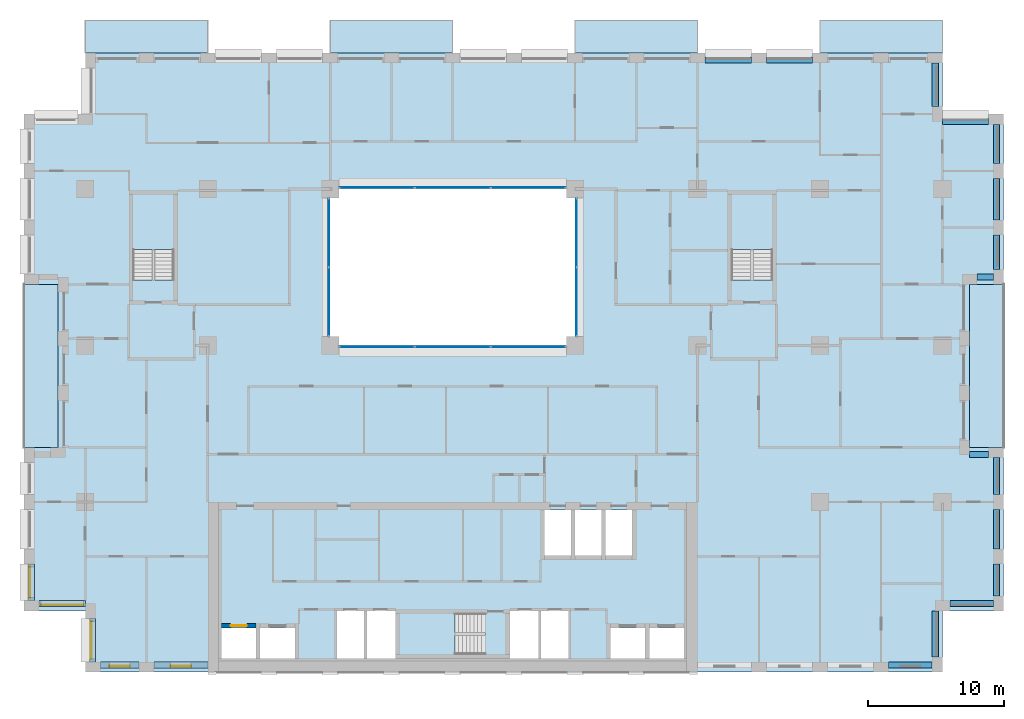
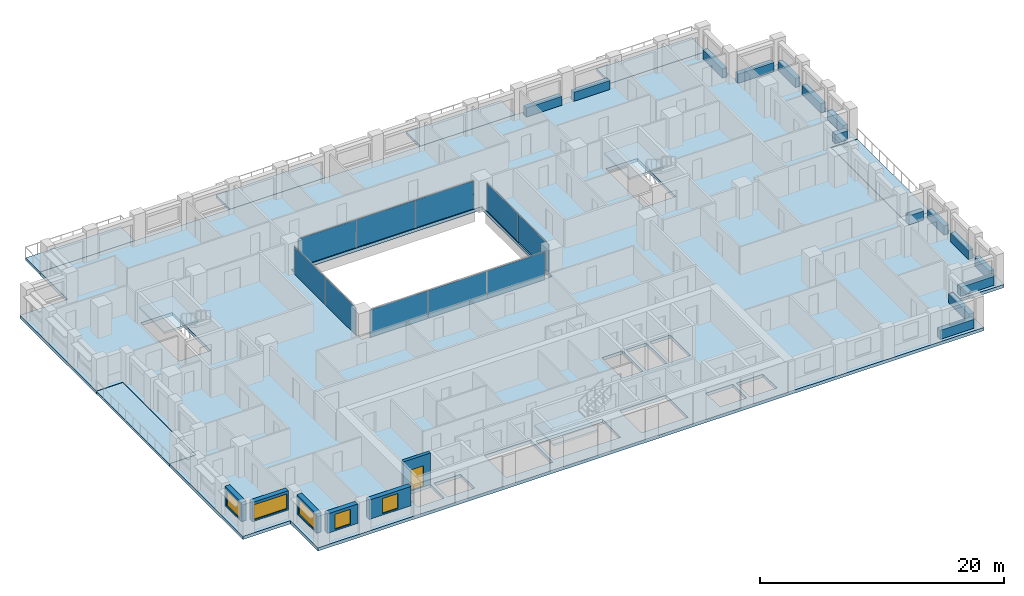
# One storey, part 7 of 17: 15 beams, 10 plates, 10 slabs, 6 walls, 5 windows, 1 door, 6 openings, 7 elements without a shape of their own.
"""IFC4 building model written with IfcOpenShell, lengths in metres."""

import ifcopenshell
import ifcopenshell.guid

model = None  # the IFC model being written
_history = None  # IfcOwnerHistory: only IFC2X3 demands one
_inside = {}  # id of a spatial element -> (the spatial element, [elements in it])
_under = {}  # id of a project, library or spatial element -> (it, [spatial elements below it])
_declared = {}  # id of a project -> (the project, [libraries it declares])
_typed = {}  # id of a type object -> (the type object, [elements of that type])
_made_of = {}  # id of a material, layer set ... -> (it, [elements and type objects made of it])


def new_model(schema):
    """Start an empty IFC model of exactly this schema.

    Asked for "IFC4X3", IfcOpenShell would pick the latest addendum, in which some entities
    have other attributes; the version numbers below select the first issue.
    IFC2X3 requires an IfcOwnerHistory on every rooted entity: one is made here for all.
    """
    global model, _history
    if schema == "IFC4X3":
        model = ifcopenshell.file(schema_version=(4, 3, 0, 0))
    else:
        model = ifcopenshell.file(schema=schema)
    _inside.clear()
    _under.clear()
    _declared.clear()
    _typed.clear()
    _made_of.clear()
    _history = None
    if model.schema == "IFC2X3":
        org = make("IfcOrganization", Name="unknown")
        user = make(
            "IfcPersonAndOrganization",
            ThePerson=make("IfcPerson", FamilyName="unknown"),
            TheOrganization=org,
        )
        app = make(
            "IfcApplication",
            ApplicationDeveloper=org,
            Version="unknown",
            ApplicationFullName="unknown",
            ApplicationIdentifier="unknown",
        )
        _history = make(
            "IfcOwnerHistory",
            OwningUser=user,
            OwningApplication=app,
            ChangeAction="ADDED",
            CreationDate=0,
        )
    return model


def make(cls, **values):
    """One entity of the class cls with the attributes given. An attribute that is None is left unset."""
    return model.create_entity(
        cls, **{name: value for name, value in values.items() if value is not None}
    )


def rooted(cls, **values):
    """An entity with a GlobalId (a new one), such as an element, a storey or a relation."""
    return make(cls, GlobalId=ifcopenshell.guid.new(), OwnerHistory=_history, **values)


def si_unit(unit_type, name, prefix=None):
    """IfcSIUnit, for example si_unit("LENGTHUNIT", "METRE", prefix="MILLI")."""
    return make("IfcSIUnit", UnitType=unit_type, Prefix=prefix, Name=name)


def assignment(units):
    """IfcUnitAssignment: the units of a project."""
    return None if units is None else make("IfcUnitAssignment", Units=units)


def point(xyz):
    """IfcCartesianPoint."""
    return None if xyz is None else make("IfcCartesianPoint", Coordinates=xyz)


def direction(xyz):
    """IfcDirection."""
    return None if xyz is None else make("IfcDirection", DirectionRatios=xyz)


def frame(location, z_axis=None, x_axis=None):
    """IfcAxis2Placement3D, a coordinate frame: its origin and axes. An axis left out is left unset."""
    return make(
        "IfcAxis2Placement3D",
        Location=point(location),
        Axis=direction(z_axis),
        RefDirection=direction(x_axis),
    )


def frame_2d(location, x_axis=None):
    """IfcAxis2Placement2D, a coordinate frame in the plane: its origin and x axis."""
    return make(
        "IfcAxis2Placement2D", Location=point(location), RefDirection=direction(x_axis)
    )


def origin():
    """The frame at (0, 0, 0) with its axes left unset."""
    return frame((0.0, 0.0, 0.0))


def origin_2d():
    """The frame at (0, 0) in the plane with its x axis left unset."""
    return frame_2d((0.0, 0.0))


def place(relative_to, where):
    """IfcLocalPlacement: puts the frame where relative to a parent placement (None: the world)."""
    return make(
        "IfcLocalPlacement", PlacementRelTo=relative_to, RelativePlacement=where
    )


def context(
    kind, dimensions, precision=None, world=None, true_north=None, identifier=None
):
    """IfcGeometricRepresentationContext, for example the 3D "Model" context."""
    return make(
        "IfcGeometricRepresentationContext",
        ContextIdentifier=identifier,
        ContextType=kind,
        CoordinateSpaceDimension=dimensions,
        Precision=precision,
        WorldCoordinateSystem=world,
        TrueNorth=true_north,
    )


def subcontext(parent, identifier, kind, view, scale=None):
    """IfcGeometricRepresentationSubContext, for example "Body" below "Model"."""
    return make(
        "IfcGeometricRepresentationSubContext",
        ContextIdentifier=identifier,
        ContextType=kind,
        ParentContext=parent,
        TargetScale=scale,
        TargetView=view,
    )


def project(units=None, contexts=None):
    """IfcProject with its units and contexts."""
    return rooted(
        "IfcProject",
        Name="project",
        RepresentationContexts=contexts,
        UnitsInContext=assignment(units),
    )


def spatial(cls, under=None, at=None, **own):
    """A site, building, storey or space (cls), placed at a placement, below another one or the project."""
    s = rooted(cls, ObjectPlacement=at, **own)
    if under is not None:
        _under.setdefault(under.id(), (under, []))[1].append(s)
    return s


def polyline(points):
    """IfcPolyline through the points."""
    return make("IfcPolyline", Points=[point(p) for p in points])


def profile(cls, at=None, kind="AREA", **sizes):
    """A parametric profile (cls). Its sizes go by their IFC names, for example OverallWidth=200.0."""
    return make(cls, ProfileType=kind, Position=at, **sizes)


def rectangle(**sizes):
    """IfcRectangleProfileDef."""
    return profile("IfcRectangleProfileDef", **sizes)


def outline(outer, holes=None, kind="AREA"):
    """IfcArbitraryClosedProfileDef: a profile drawn as a closed curve; with holes, ...WithVoids."""
    if holes is None:
        return make("IfcArbitraryClosedProfileDef", ProfileType=kind, OuterCurve=outer)
    return make(
        "IfcArbitraryProfileDefWithVoids",
        ProfileType=kind,
        OuterCurve=outer,
        InnerCurves=holes,
    )


def extrude(swept, where, along, depth):
    """IfcExtrudedAreaSolid: the profile swept, set in the frame where, extruded along a direction by depth."""
    return make(
        "IfcExtrudedAreaSolid",
        SweptArea=swept,
        Position=where,
        ExtrudedDirection=direction(along),
        Depth=depth,
    )


def shape(context_of_items, identifier, shape_type, items):
    """IfcShapeRepresentation: the items that make up one representation, for example the "Body"."""
    return make(
        "IfcShapeRepresentation",
        ContextOfItems=context_of_items,
        RepresentationIdentifier=identifier,
        RepresentationType=shape_type,
        Items=items,
    )


def material(Name=None, Category=None):
    """IfcMaterial."""
    return make("IfcMaterial", Name=Name, Category=Category)


def layer(
    of_material, thickness, ventilated=None, Name=None, Category=None, Priority=None
):
    """IfcMaterialLayer: one layer of a wall or slab, of a material (None: an air gap)."""
    return make(
        "IfcMaterialLayer",
        Material=of_material,
        LayerThickness=thickness,
        IsVentilated=ventilated,
        Name=Name,
        Category=Category,
        Priority=Priority,
    )


def layer_set(layers, Name=None):
    """IfcMaterialLayerSet."""
    return make("IfcMaterialLayerSet", MaterialLayers=layers, LayerSetName=Name)


def material_profile(
    of_material, cross_section, Name=None, Category=None, Priority=None
):
    """IfcMaterialProfile: a cross section and its material."""
    return make(
        "IfcMaterialProfile",
        Name=Name,
        Material=of_material,
        Profile=cross_section,
        Priority=Priority,
        Category=Category,
    )


def profile_set(profiles, Name=None, composite=None):
    """IfcMaterialProfileSet."""
    return make(
        "IfcMaterialProfileSet",
        Name=Name,
        MaterialProfiles=profiles,
        CompositeProfile=composite,
    )


def made_of(thing, what):
    """Note that an element or type object is made of a material, layer set ...; save() writes the relation."""
    if what is not None:
        _made_of.setdefault(what.id(), (what, []))[1].append(thing)
    return thing


def type_object(cls, material=None, **own):
    """A type object (cls), such as IfcWallType, which elements share."""
    return made_of(rooted(cls, **own), material)


def element(
    cls,
    number,
    at=None,
    inside=None,
    cuts=None,
    type_object=None,
    material=None,
    context=None,
    identifier="Body",
    shape_type=None,
    held_by="IfcProductDefinitionShape",
    body=None,
    shapes=None,
    **own,
):
    """One element of the class cls, such as IfcWall. Its Tag is "e" and its number.

    at: its placement. inside: the storey or other place that contains it. cuts: it is an
    opening in that element (IfcRelVoidsElement). A single representation is given by context,
    identifier, shape_type and body (its items); several are given by shapes. held_by: the class
    of the entity that holds the representations. save() writes the other relations.
    """
    e = rooted(cls, Tag="e%d" % number, ObjectPlacement=at, **own)
    if body is not None:
        shapes = [shape(context, identifier, shape_type, body)]
    if shapes is not None:
        e.Representation = make(held_by, Representations=shapes)
    if inside is not None:
        _inside.setdefault(inside.id(), (inside, []))[1].append(e)
    if cuts is not None:
        rooted(
            "IfcRelVoidsElement", RelatingBuildingElement=cuts, RelatedOpeningElement=e
        )
    if type_object is not None:
        _typed.setdefault(type_object.id(), (type_object, []))[1].append(e)
    return made_of(e, material)


def fill(opening, filler):
    """IfcRelFillsElement: the door or window that sits in an opening."""
    return rooted(
        "IfcRelFillsElement",
        RelatingOpeningElement=opening,
        RelatedBuildingElement=filler,
    )


def aggregate(whole, parts):
    """IfcRelAggregates: a whole, such as a stair, and the parts it consists of."""
    return rooted("IfcRelAggregates", RelatingObject=whole, RelatedObjects=parts)


def save(model, path):
    """Write the relations noted so far, then the file.

    IfcRelAggregates (storeys below a building ...), IfcRelContainedInSpatialStructure (elements
    in a storey), IfcRelDefinesByType, IfcRelAssociatesMaterial and IfcRelDeclares: one each for
    every whole, place, type object, material and project.
    """
    for whole, parts in _under.values():
        aggregate(whole, parts)
    for where, things in _inside.values():
        rooted(
            "IfcRelContainedInSpatialStructure",
            RelatedElements=things,
            RelatingStructure=where,
        )
    for kind, things in _typed.values():
        rooted("IfcRelDefinesByType", RelatedObjects=things, RelatingType=kind)
    for what, things in _made_of.values():
        rooted("IfcRelAssociatesMaterial", RelatedObjects=things, RelatingMaterial=what)
    for by, libraries in _declared.values():
        rooted("IfcRelDeclares", RelatingContext=by, RelatedDefinitions=libraries)
    model.write(path)


model = new_model("IFC4")

# Units and contexts
model_context = context("Model", 3, precision=1e-05, world=origin(), true_north=direction((0.0, 1.0)))
body_context = subcontext(model_context, "Body", "Model", "MODEL_VIEW")
ifc_project = project(units=[si_unit("LENGTHUNIT", "METRE"), si_unit("AREAUNIT", "SQUARE_METRE"), si_unit("VOLUMEUNIT", "CUBIC_METRE"), si_unit("PLANEANGLEUNIT", "RADIAN"), si_unit("MASSUNIT", "GRAM", prefix="KILO")], contexts=[model_context])

# Site, building, storey
site_placement = place(None, origin())
site = spatial("IfcSite", under=ifc_project, at=site_placement, CompositionType="ELEMENT")
building_placement = place(site_placement, origin())
building = spatial("IfcBuilding", under=site, at=building_placement, Name="Brigalow Station Residences", CompositionType="ELEMENT")
storey_placement = place(building_placement, frame((0.0, 0.0, 111.89990234375)))
storey = spatial("IfcBuildingStorey", under=building, at=storey_placement, Name="L32", CompositionType="ELEMENT", Elevation=111.89990234375)

# Beams
ifc_material_1 = material(Name="Concrete C65", Category="concrete")
ifc_material_profile = material_profile(ifc_material_1, rectangle(XDim=0.449951171875, YDim=0.89990234375, at=origin_2d()), Name="RC450x900")
ifc_profile_set = profile_set([ifc_material_profile], Name="Concrete C65")
beam_type = type_object("IfcBeamType", Name="SPANDREL BEAM 450x900 C65", PredefinedType="SPANDREL", material=ifc_profile_set)
beam_1_placement = place(storey_placement, frame((68.050048828125, 0.52490234375, 0.4501953125), z_axis=(1.0, 0.0, 0.0), x_axis=(0.0, 1.0, 0.0)))
element("IfcBeam", 1, at=beam_1_placement, inside=storey, type_object=beam_type, Name="L32/spandrel/W-L32-7", PredefinedType="SPANDREL", context=body_context, shape_type="SweptSolid", body=[
    extrude(rectangle(XDim=0.449951171875, YDim=0.89990234375, at=origin_2d()), origin(), (0.0, 0.0, 1.0), 3.199951171875),
])
beam_2_placement = place(storey_placement, frame((71.47509765625, 1.10009765625, 0.4501953125), z_axis=(0.0, 1.0, 0.0), x_axis=(-1.0, 0.0, 0.0)))
element("IfcBeam", 2, at=beam_2_placement, inside=storey, type_object=beam_type, Name="L32/spandrel/W-L32-8", PredefinedType="SPANDREL", context=body_context, shape_type="SweptSolid", body=[
    extrude(rectangle(XDim=0.449951171875, YDim=0.89990234375, at=origin_2d()), origin(), (0.0, 0.0, 1.0), 3.39990234375),
])
beam_3_placement = place(storey_placement, frame((72.550048828125, 5.02490234375, 0.4501953125), z_axis=(1.0, 0.0, 0.0), x_axis=(0.0, 1.0, 0.0)))
element("IfcBeam", 3, at=beam_3_placement, inside=storey, type_object=beam_type, Name="L32/spandrel/W-L32-9", PredefinedType="SPANDREL", context=body_context, shape_type="SweptSolid", body=[
    extrude(rectangle(XDim=0.449951171875, YDim=0.89990234375, at=origin_2d()), origin(), (0.0, 0.0, 1.0), 3.199951171875),
])
beam_4_placement = place(storey_placement, frame((75.97509765625, 5.60009765625, 0.4501953125), z_axis=(0.0, 1.0, 0.0), x_axis=(-1.0, 0.0, 0.0)))
element("IfcBeam", 4, at=beam_4_placement, inside=storey, type_object=beam_type, Name="L32/spandrel/W-L32-10", PredefinedType="SPANDREL", context=body_context, shape_type="SweptSolid", body=[
    extrude(rectangle(XDim=0.449951171875, YDim=0.89990234375, at=origin_2d()), origin(), (0.0, 0.0, 1.0), 2.349853515625),
])
beam_5_placement = place(storey_placement, frame((75.97509765625, 9.050048828125, 0.4501953125), z_axis=(0.0, 1.0, 0.0), x_axis=(-1.0, 0.0, 0.0)))
element("IfcBeam", 5, at=beam_5_placement, inside=storey, type_object=beam_type, Name="L32/spandrel/W-L32-11", PredefinedType="SPANDREL", context=body_context, shape_type="SweptSolid", body=[
    extrude(rectangle(XDim=0.449951171875, YDim=0.89990234375, at=origin_2d()), origin(), (0.0, 0.0, 1.0), 2.89990234375),
])
beam_6_placement = place(storey_placement, frame((75.97509765625, 13.050048828125, 0.4501953125), z_axis=(0.0, 1.0, 0.0), x_axis=(-1.0, 0.0, 0.0)))
element("IfcBeam", 6, at=beam_6_placement, inside=storey, type_object=beam_type, Name="L32/spandrel/W-L32-12", PredefinedType="SPANDREL", context=body_context, shape_type="SweptSolid", body=[
    extrude(rectangle(XDim=0.449951171875, YDim=0.89990234375, at=origin_2d()), origin(), (0.0, 0.0, 1.0), 2.699951171875),
])
beam_7_placement = place(storey_placement, frame((75.39990234375, 15.97509765625, 0.4501953125), z_axis=(-1.0, 0.0, 0.0), x_axis=(0.0, -1.0, 0.0)))
element("IfcBeam", 7, at=beam_7_placement, inside=storey, type_object=beam_type, Name="L32/spandrel/W-L32-13", PredefinedType="SPANDREL", context=body_context, shape_type="SweptSolid", body=[
    extrude(rectangle(XDim=0.449951171875, YDim=0.89990234375, at=origin_2d()), origin(), (0.0, 0.0, 1.0), 1.39990234375),
])
beam_8_placement = place(storey_placement, frame((74.550048828125, 29.02490234375, 0.4501953125), z_axis=(1.0, 0.0, 0.0), x_axis=(0.0, 1.0, 0.0)))
element("IfcBeam", 8, at=beam_8_placement, inside=storey, type_object=beam_type, Name="L32/spandrel/W-L32-17", PredefinedType="SPANDREL", context=body_context, shape_type="SweptSolid", body=[
    extrude(rectangle(XDim=0.449951171875, YDim=0.89990234375, at=origin_2d()), origin(), (0.0, 0.0, 1.0), 1.199951171875),
])
beam_9_placement = place(storey_placement, frame((75.97509765625, 29.60009765625, 0.4501953125), z_axis=(0.0, 1.0, 0.0), x_axis=(-1.0, 0.0, 0.0)))
element("IfcBeam", 9, at=beam_9_placement, inside=storey, type_object=beam_type, Name="L32/spandrel/W-L32-18", PredefinedType="SPANDREL", context=body_context, shape_type="SweptSolid", body=[
    extrude(rectangle(XDim=0.449951171875, YDim=0.89990234375, at=origin_2d()), origin(), (0.0, 0.0, 1.0), 2.516845703125),
])
beam_10_placement = place(storey_placement, frame((75.97509765625, 33.217041015625, 0.4501953125), z_axis=(0.0, 1.0, 0.0), x_axis=(-1.0, 0.0, 0.0)))
element("IfcBeam", 10, at=beam_10_placement, inside=storey, type_object=beam_type, Name="L32/spandrel/W-L32-19", PredefinedType="SPANDREL", context=body_context, shape_type="SweptSolid", body=[
    extrude(rectangle(XDim=0.449951171875, YDim=0.89990234375, at=origin_2d()), origin(), (0.0, 0.0, 1.0), 3.06591796875),
])
beam_11_placement = place(storey_placement, frame((75.97509765625, 37.383056640625, 0.4501953125), z_axis=(0.0, 1.0, 0.0), x_axis=(-1.0, 0.0, 0.0)))
element("IfcBeam", 11, at=beam_11_placement, inside=storey, type_object=beam_type, Name="L32/spandrel/W-L32-20", PredefinedType="SPANDREL", context=body_context, shape_type="SweptSolid", body=[
    extrude(rectangle(XDim=0.449951171875, YDim=0.89990234375, at=origin_2d()), origin(), (0.0, 0.0, 1.0), 2.866943359375),
])
beam_12_placement = place(storey_placement, frame((75.39990234375, 40.47509765625, 0.4501953125), z_axis=(-1.0, 0.0, 0.0), x_axis=(0.0, -1.0, 0.0)))
element("IfcBeam", 12, at=beam_12_placement, inside=storey, type_object=beam_type, Name="L32/spandrel/W-L32-21", PredefinedType="SPANDREL", context=body_context, shape_type="SweptSolid", body=[
    extrude(rectangle(XDim=0.449951171875, YDim=0.89990234375, at=origin_2d()), origin(), (0.0, 0.0, 1.0), 3.39990234375),
])
beam_13_placement = place(storey_placement, frame((71.47509765625, 41.550048828125, 0.4501953125), z_axis=(0.0, 1.0, 0.0), x_axis=(-1.0, 0.0, 0.0)))
element("IfcBeam", 13, at=beam_13_placement, inside=storey, type_object=beam_type, Name="L32/spandrel/W-L32-22", PredefinedType="SPANDREL", context=body_context, shape_type="SweptSolid", body=[
    extrude(rectangle(XDim=0.449951171875, YDim=0.89990234375, at=origin_2d()), origin(), (0.0, 0.0, 1.0), 3.199951171875),
])
for number, where, z_axis, x_axis, name in (
    (14, (62.449951171875, 44.97509765625, 0.4501953125), (-1.0, 0.0, 0.0), (0.0, -1.0, 0.0), "L32/spandrel/W-L32-25"),
    (15, (57.949951171875, 44.97509765625, 0.4501953125), (-1.0, 0.0, 0.0), (0.0, -1.0, 0.0), "L32/spandrel/W-L32-26"),
):
    element("IfcBeam", number, at=place(storey_placement, frame(where, z_axis=z_axis, x_axis=x_axis)), inside=storey, type_object=beam_type, Name=name, PredefinedType="SPANDREL", context=body_context, shape_type="SweptSolid", body=[
        extrude(rectangle(XDim=0.449951171875, YDim=0.89990234375, at=origin_2d()), origin(), (0.0, 0.0, 1.0), 3.39990234375),
    ])

# Curtain wall, plates
ifc_material_2 = material(Name="Aluminium", Category="aluminium")
ifc_layer_1 = layer(ifc_material_2, 0.14990234375)
ifc_layer_set_1 = layer_set([ifc_layer_1], Name="ATRIUM FIRE-RATED GLAZING CURTAIN WALL")
curtain_wall_type = type_object("IfcCurtainWallType", Name="ATRIUM FIRE-RATED GLAZING CURTAIN WALL", PredefinedType="NOTDEFINED", material=ifc_layer_set_1)
curtain_wall_1_placement = place(storey_placement, origin())
curtain_wall_1 = element("IfcCurtainWall", 16, at=curtain_wall_1_placement, inside=storey, type_object=curtain_wall_type, Name="L32/cw/atrium-S", PredefinedType="NOTDEFINED")
ifc_material_3 = material(Name="Fire-resisting laminated glazing, FRL -/60/-", Category="glass")
ifc_layer_2 = layer(ifc_material_3, 0.031982421875)
ifc_layer_set_2 = layer_set([ifc_layer_2], Name="ATRIUM FIRE-RATED GLAZING PANEL 32")
plate_type = type_object("IfcPlateType", Name="ATRIUM FIRE-RATED GLAZING PANEL 32", PredefinedType="CURTAIN_PANEL", material=ifc_layer_set_2)
plate_1_placement = place(storey_placement, frame((30.4482421875, 23.89990234375, 0.0), z_axis=(0.0, 0.0, 1.0), x_axis=(1.0, 0.0, 0.0)))
plate_1 = element("IfcPlate", 17, at=plate_1_placement, type_object=plate_type, Name="L32/cw/atrium-S/P00-00", PredefinedType="CURTAIN_PANEL", context=body_context, shape_type="SweptSolid", body=[
    extrude(rectangle(XDim=5.476806640625, YDim=0.031982421875, at=origin_2d()), origin(), (0.0, 0.0, 1.0), 2.77001953125),
])
plate_2_placement = place(storey_placement, frame((36.0, 23.89990234375, 0.0), z_axis=(0.0, 0.0, 1.0), x_axis=(1.0, 0.0, 0.0)))
plate_2 = element("IfcPlate", 18, at=plate_2_placement, type_object=plate_type, Name="L32/cw/atrium-S/P01-00", PredefinedType="CURTAIN_PANEL", context=body_context, shape_type="SweptSolid", body=[
    extrude(rectangle(XDim=5.506591796875, YDim=0.031982421875, at=origin_2d()), origin(), (0.0, 0.0, 1.0), 2.77001953125),
])
plate_3_placement = place(storey_placement, frame((41.5517578125, 23.89990234375, 0.0), z_axis=(0.0, 0.0, 1.0), x_axis=(1.0, 0.0, 0.0)))
plate_3 = element("IfcPlate", 19, at=plate_3_placement, type_object=plate_type, Name="L32/cw/atrium-S/P02-00", PredefinedType="CURTAIN_PANEL", context=body_context, shape_type="SweptSolid", body=[
    extrude(rectangle(XDim=5.476806640625, YDim=0.031982421875, at=origin_2d()), origin(), (0.0, 0.0, 1.0), 2.77001953125),
])
aggregate(curtain_wall_1, [plate_1, plate_2, plate_3])

curtain_wall_2_placement = place(storey_placement, origin())
curtain_wall_2 = element("IfcCurtainWall", 20, at=curtain_wall_2_placement, inside=storey, type_object=curtain_wall_type, Name="L32/cw/atrium-E", PredefinedType="NOTDEFINED")
plate_4_placement = place(storey_placement, frame((45.10009765625, 27.215087890625, 0.0), z_axis=(0.0, 0.0, 1.0), x_axis=(0.0, 1.0, 0.0)))
plate_4 = element("IfcPlate", 21, at=plate_4_placement, type_object=plate_type, Name="L32/cw/atrium-E/P00-00", PredefinedType="CURTAIN_PANEL", context=body_context, shape_type="SweptSolid", body=[
    extrude(rectangle(XDim=5.010009765625, YDim=0.031982421875, at=origin_2d()), origin(), (0.0, 0.0, 1.0), 2.77001953125),
])
plate_5_placement = place(storey_placement, frame((45.10009765625, 32.284912109375, 0.0), z_axis=(0.0, 0.0, 1.0), x_axis=(0.0, 1.0, 0.0)))
plate_5 = element("IfcPlate", 22, at=plate_5_placement, type_object=plate_type, Name="L32/cw/atrium-E/P01-00", PredefinedType="CURTAIN_PANEL", context=body_context, shape_type="SweptSolid", body=[
    extrude(rectangle(XDim=5.010009765625, YDim=0.031982421875, at=origin_2d()), origin(), (0.0, 0.0, 1.0), 2.77001953125),
])
aggregate(curtain_wall_2, [plate_4, plate_5])

curtain_wall_3_placement = place(storey_placement, origin())
curtain_wall_3 = element("IfcCurtainWall", 23, at=curtain_wall_3_placement, inside=storey, type_object=curtain_wall_type, Name="L32/cw/atrium-N", PredefinedType="NOTDEFINED")
plate_6_placement = place(storey_placement, frame((41.5517578125, 35.60009765625, 0.0), z_axis=(0.0, 0.0, 1.0), x_axis=(-1.0, 0.0, 0.0)))
plate_6 = element("IfcPlate", 24, at=plate_6_placement, type_object=plate_type, Name="L32/cw/atrium-N/P00-00", PredefinedType="CURTAIN_PANEL", context=body_context, shape_type="SweptSolid", body=[
    extrude(rectangle(XDim=5.476806640625, YDim=0.031982421875, at=origin_2d()), origin(), (0.0, 0.0, 1.0), 2.77001953125),
])
plate_7_placement = place(storey_placement, frame((36.0, 35.60009765625, 0.0), z_axis=(0.0, 0.0, 1.0), x_axis=(-1.0, 0.0, 0.0)))
plate_7 = element("IfcPlate", 25, at=plate_7_placement, type_object=plate_type, Name="L32/cw/atrium-N/P01-00", PredefinedType="CURTAIN_PANEL", context=body_context, shape_type="SweptSolid", body=[
    extrude(rectangle(XDim=5.506591796875, YDim=0.031982421875, at=origin_2d()), origin(), (0.0, 0.0, 1.0), 2.77001953125),
])
plate_8_placement = place(storey_placement, frame((30.4482421875, 35.60009765625, 0.0), z_axis=(0.0, 0.0, 1.0), x_axis=(-1.0, 0.0, 0.0)))
plate_8 = element("IfcPlate", 26, at=plate_8_placement, type_object=plate_type, Name="L32/cw/atrium-N/P02-00", PredefinedType="CURTAIN_PANEL", context=body_context, shape_type="SweptSolid", body=[
    extrude(rectangle(XDim=5.476806640625, YDim=0.031982421875, at=origin_2d()), origin(), (0.0, 0.0, 1.0), 2.77001953125),
])
aggregate(curtain_wall_3, [plate_6, plate_7, plate_8])

curtain_wall_4_placement = place(storey_placement, origin())
curtain_wall_4 = element("IfcCurtainWall", 27, at=curtain_wall_4_placement, inside=storey, type_object=curtain_wall_type, Name="L32/cw/atrium-W", PredefinedType="NOTDEFINED")
plate_9_placement = place(storey_placement, frame((26.89990234375, 32.284912109375, 0.0), z_axis=(0.0, 0.0, 1.0), x_axis=(0.0, -1.0, 0.0)))
plate_9 = element("IfcPlate", 28, at=plate_9_placement, type_object=plate_type, Name="L32/cw/atrium-W/P00-00", PredefinedType="CURTAIN_PANEL", context=body_context, shape_type="SweptSolid", body=[
    extrude(rectangle(XDim=5.010009765625, YDim=0.031982421875, at=origin_2d()), origin(), (0.0, 0.0, 1.0), 2.77001953125),
])
plate_10_placement = place(storey_placement, frame((26.89990234375, 27.215087890625, 0.0), z_axis=(0.0, 0.0, 1.0), x_axis=(0.0, -1.0, 0.0)))
plate_10 = element("IfcPlate", 29, at=plate_10_placement, type_object=plate_type, Name="L32/cw/atrium-W/P01-00", PredefinedType="CURTAIN_PANEL", context=body_context, shape_type="SweptSolid", body=[
    extrude(rectangle(XDim=5.010009765625, YDim=0.031982421875, at=origin_2d()), origin(), (0.0, 0.0, 1.0), 2.77001953125),
])
aggregate(curtain_wall_4, [plate_9, plate_10])

# Slabs
ifc_material_4 = material(Name="Concrete C50 precast", Category="concrete")
ifc_layer_3 = layer(ifc_material_4, 0.25)
ifc_layer_set_3 = layer_set([ifc_layer_3], Name="BALCONY SLAB 250")
slab_type_1 = type_object("IfcSlabType", Name="BALCONY SLAB 250", PredefinedType="USERDEFINED", material=ifc_layer_set_3)
slab_1_placement = place(storey_placement, frame((0.0, 0.0, -0.289794921875)))
element("IfcSlab", 30, at=slab_1_placement, inside=storey, type_object=slab_type_1, Name="L32/balcony/1", ObjectType="BALCONY", PredefinedType="USERDEFINED", context=body_context, shape_type="SweptSolid", body=[
    extrude(outline(polyline([(74.0, 16.5), (76.5, 16.5), (76.5, 28.5), (74.0, 28.5), (74.0, 16.5)])), origin(), (0.0, 0.0, 1.0), 0.25),
])
slab_2_placement = place(storey_placement, frame((0.0, 0.0, -0.289794921875)))
element("IfcSlab", 31, at=slab_2_placement, inside=storey, type_object=slab_type_1, Name="L32/balcony/2", ObjectType="BALCONY", PredefinedType="USERDEFINED", context=body_context, shape_type="SweptSolid", body=[
    extrude(outline(polyline([(72.0, 45.5), (72.0, 47.89990234375), (63.0, 47.89990234375), (63.0, 45.5), (72.0, 45.5)])), origin(), (0.0, 0.0, 1.0), 0.25),
])
slab_3_placement = place(storey_placement, frame((0.0, 0.0, -0.289794921875)))
element("IfcSlab", 32, at=slab_3_placement, inside=storey, type_object=slab_type_1, Name="L32/balcony/3", ObjectType="BALCONY", PredefinedType="USERDEFINED", context=body_context, shape_type="SweptSolid", body=[
    extrude(outline(polyline([(54.0, 45.5), (54.0, 47.89990234375), (45.0, 47.89990234375), (45.0, 45.5), (54.0, 45.5)])), origin(), (0.0, 0.0, 1.0), 0.25),
])
slab_4_placement = place(storey_placement, frame((0.0, 0.0, -0.289794921875)))
element("IfcSlab", 33, at=slab_4_placement, inside=storey, type_object=slab_type_1, Name="L32/balcony/4", ObjectType="BALCONY", PredefinedType="USERDEFINED", context=body_context, shape_type="SweptSolid", body=[
    extrude(outline(polyline([(36.0, 45.5), (36.0, 47.89990234375), (27.0, 47.89990234375), (27.0, 45.5), (36.0, 45.5)])), origin(), (0.0, 0.0, 1.0), 0.25),
])
slab_5_placement = place(storey_placement, frame((0.0, 0.0, -0.289794921875)))
element("IfcSlab", 34, at=slab_5_placement, inside=storey, type_object=slab_type_1, Name="L32/balcony/5", ObjectType="BALCONY", PredefinedType="USERDEFINED", context=body_context, shape_type="SweptSolid", body=[
    extrude(outline(polyline([(18.0, 45.5), (18.0, 47.89990234375), (9.0, 47.89990234375), (9.0, 45.5), (18.0, 45.5)])), origin(), (0.0, 0.0, 1.0), 0.25),
])
slab_6_placement = place(storey_placement, frame((0.0, 0.0, -0.289794921875)))
element("IfcSlab", 35, at=slab_6_placement, inside=storey, type_object=slab_type_1, Name="L32/balcony/6", ObjectType="BALCONY", PredefinedType="USERDEFINED", context=body_context, shape_type="SweptSolid", body=[
    extrude(outline(polyline([(7.0, 28.5), (4.5, 28.5), (4.5, 16.5), (7.0, 16.5), (7.0, 28.5)])), origin(), (0.0, 0.0, 1.0), 0.25),
])
ifc_material_5 = material(Name="Concrete C50", Category="concrete")
ifc_layer_4 = layer(ifc_material_5, 0.320068359375)
ifc_layer_set_4 = layer_set([ifc_layer_4], Name="POST-TENSIONED FLAT PLATE 320 C50")
slab_type_2 = type_object("IfcSlabType", Name="POST-TENSIONED FLAT PLATE 320 C50", PredefinedType="FLOOR", material=ifc_layer_set_4)
slab_7_placement = place(storey_placement, frame((0.0, 0.0, -0.31982421875)))
element("IfcSlab", 36, at=slab_7_placement, inside=storey, type_object=slab_type_2, Name="FLOOR SLAB L32", PredefinedType="FLOOR", context=body_context, shape_type="SweptSolid", body=[
    extrude(outline(polyline([(9.0, 0.0), (72.0, 0.0), (72.0, 4.5), (76.5, 4.5), (76.5, 16.5), (74.0, 16.5), (74.0, 28.5), (76.5, 28.5), (76.5, 41.0), (72.0, 41.0), (72.0, 45.5), (9.0, 45.5), (9.0, 41.0), (4.5, 41.0), (4.5, 28.5), (7.0, 28.5), (7.0, 16.5), (4.5, 16.5), (4.5, 4.5), (9.0, 4.5), (9.0, 0.0)]), holes=[polyline([(12.5048828125, 35.094970703125), (15.4951171875, 35.094970703125), (15.4951171875, 28.804931640625), (12.5048828125, 28.804931640625), (12.5048828125, 35.094970703125)]), polyline([(19.0, 1.0), (19.0, 3.25), (21.550048828125, 3.25), (21.550048828125, 1.0), (19.0, 1.0)]), polyline([(21.85009765625, 3.25), (24.39990234375, 3.25), (24.39990234375, 1.0), (21.85009765625, 1.0), (21.85009765625, 3.25)]), polyline([(27.0, 35.5), (45.0, 35.5), (45.0, 24.0), (27.0, 24.0), (27.0, 35.5)]), polyline([(29.60009765625, 4.60009765625), (31.800048828125, 4.60009765625), (31.800048828125, 1.0), (29.60009765625, 1.0), (27.39990234375, 1.0), (27.39990234375, 4.60009765625), (29.60009765625, 4.60009765625)]), polyline([(32.10498046875, 4.294921875), (38.39501953125, 4.294921875), (38.39501953125, 1.304931640625), (32.10498046875, 1.304931640625), (32.10498046875, 4.294921875)]), polyline([(40.199951171875, 4.60009765625), (42.39990234375, 4.60009765625), (44.60009765625, 4.60009765625), (44.60009765625, 1.0), (42.39990234375, 1.0), (40.199951171875, 1.0), (40.199951171875, 4.60009765625)]), polyline([(42.75, 11.89990234375), (44.699951171875, 11.89990234375), (44.699951171875, 8.550048828125), (42.75, 8.550048828125), (42.75, 11.89990234375)]), polyline([(45.0, 11.89990234375), (46.949951171875, 11.89990234375), (46.949951171875, 8.550048828125), (45.0, 8.550048828125), (45.0, 11.89990234375)]), polyline([(47.25, 11.89990234375), (49.199951171875, 11.89990234375), (49.199951171875, 8.550048828125), (47.25, 8.550048828125), (47.25, 11.89990234375)]), polyline([(47.60009765625, 3.25), (50.14990234375, 3.25), (50.14990234375, 1.0), (47.60009765625, 1.0), (47.60009765625, 3.25)]), polyline([(50.449951171875, 3.25), (53.0, 3.25), (53.0, 1.0), (50.449951171875, 1.0), (50.449951171875, 3.25)]), polyline([(56.5048828125, 35.094970703125), (59.4951171875, 35.094970703125), (59.4951171875, 28.804931640625), (56.5048828125, 28.804931640625), (56.5048828125, 35.094970703125)])]), origin(), (0.0, 0.0, 1.0), 0.31982421875),
])

# Stair, slab
ifc_material_6 = material(Name="Concrete C50", Category="concrete")
stair_type = type_object("IfcStairType", Name="EXIT STAIR 1400 2 FLIGHT", PredefinedType="HALF_TURN_STAIR", material=ifc_material_6)
stair_1_placement = place(storey_placement, origin())
stair_1 = element("IfcStair", 37, at=stair_1_placement, inside=storey, type_object=stair_type, Name="EXIT STAIR S2 L32", PredefinedType="HALF_TURN_STAIR")
ifc_material_7 = material(Name="Concrete C50", Category="concrete")
ifc_layer_5 = layer(ifc_material_7, 0.199951171875)
ifc_layer_set_5 = layer_set([ifc_layer_5], Name="STAIR LANDING 200")
slab_type_3 = type_object("IfcSlabType", Name="STAIR LANDING 200", PredefinedType="LANDING", material=ifc_layer_set_5)
slab_8_placement = place(storey_placement, frame((0.0, 0.0, 1.375)))
slab_8 = element("IfcSlab", 38, at=slab_8_placement, type_object=slab_type_3, Name="ST-2 landing 1", PredefinedType="LANDING", context=body_context, shape_type="SweptSolid", body=[
    extrude(outline(polyline([(32.0, 1.199951171875), (36.159912109375, 1.199951171875), (36.159912109375, 4.39990234375), (32.0, 4.39990234375), (32.0, 1.199951171875)])), origin(), (0.0, 0.0, 1.0), 0.2001953125),
])
aggregate(stair_1, [slab_8])

stair_2_placement = place(storey_placement, origin())
stair_2 = element("IfcStair", 39, at=stair_2_placement, inside=storey, type_object=stair_type, Name="EXIT STAIR S1 L32", PredefinedType="HALF_TURN_STAIR")
slab_9_placement = place(storey_placement, frame((0.0, 0.0, 1.375)))
slab_9 = element("IfcSlab", 40, at=slab_9_placement, type_object=slab_type_3, Name="ST-1 landing 1", PredefinedType="LANDING", context=body_context, shape_type="SweptSolid", body=[
    extrude(outline(polyline([(12.39990234375, 31.0400390625), (15.60009765625, 31.0400390625), (15.60009765625, 35.199951171875), (12.39990234375, 35.199951171875), (12.39990234375, 31.0400390625)])), origin(), (0.0, 0.0, 1.0), 0.2001953125),
])
aggregate(stair_2, [slab_9])

stair_3_placement = place(storey_placement, origin())
stair_3 = element("IfcStair", 41, at=stair_3_placement, inside=storey, type_object=stair_type, Name="EXIT STAIR S3 L32", PredefinedType="HALF_TURN_STAIR")
slab_10_placement = place(storey_placement, frame((0.0, 0.0, 1.375)))
slab_10 = element("IfcSlab", 42, at=slab_10_placement, type_object=slab_type_3, Name="ST-3 landing 1", PredefinedType="LANDING", context=body_context, shape_type="SweptSolid", body=[
    extrude(outline(polyline([(56.39990234375, 31.0400390625), (59.60009765625, 31.0400390625), (59.60009765625, 35.199951171875), (56.39990234375, 35.199951171875), (56.39990234375, 31.0400390625)])), origin(), (0.0, 0.0, 1.0), 0.2001953125),
])
aggregate(stair_3, [slab_10])

# Wall, opening, window
ifc_material_8 = material(Name="Clay brick masonry", Category="masonry")
ifc_layer_6 = layer(ifc_material_8, 0.449951171875)
ifc_layer_set_6 = layer_set([ifc_layer_6], Name="BRICK INFILL WALL 450")
wall_type_1 = type_object("IfcWallType", Name="BRICK INFILL WALL 450", PredefinedType="SOLIDWALL", material=ifc_layer_set_6)
wall_1_placement = place(storey_placement, frame((10.10009765625, 0.52490234375, 0.900146484375), z_axis=(0.0, 0.0, 1.0), x_axis=(1.0, 0.0, 0.0)))
wall_1 = element("IfcWall", 43, at=wall_1_placement, inside=storey, type_object=wall_type_1, Name="L32/ewall/W-L32-1", PredefinedType="SOLIDWALL", context=body_context, shape_type="SweptSolid", body=[
    extrude(rectangle(XDim=2.849853515625, YDim=0.449951171875, at=frame_2d((1.4248046875, 0.0))), origin(), (0.0, 0.0, 1.0), 1.929931640625),
])
opening_1_placement = place(wall_1_placement, frame((0.675048828125, 0.0, 0.14990234375)))
opening_1 = element("IfcOpeningElement", 44, at=opening_1_placement, cuts=wall_1, Name="Opening WT-1", PredefinedType="OPENING", context=body_context, shape_type="SweptSolid", body=[
    extrude(rectangle(XDim=1.5, YDim=1.5, at=frame_2d((0.75, 0.75))), frame((0.0, 0.23486328125, 0.0), z_axis=(0.0, -1.0, 0.0), x_axis=(1.0, 0.0, 0.0)), (0.0, 0.0, 1.0), 0.469970703125),
])
ifc_material_9 = material(Name="Anodised aluminium frame with double glazing", Category="aluminium")
window_type_1 = type_object("IfcWindowType", Name="WINDOW 1500x1500", PartitioningType="SINGLE_PANEL", PredefinedType="WINDOW", material=ifc_material_9)
window_1_placement = place(opening_1_placement, origin())
window_1 = element("IfcWindow", 45, at=window_1_placement, inside=storey, type_object=window_type_1, Name="L32/window/W-L32-1", OverallHeight=1.5, OverallWidth=1.5, PartitioningType="SINGLE_PANEL", PredefinedType="WINDOW", context=body_context, shape_type="SweptSolid", body=[
    extrude(rectangle(XDim=1.5, YDim=1.5, at=frame_2d((0.75, 0.75))), frame((0.0, -0.06494140625, 0.0), z_axis=(0.0, -1.0, 0.0), x_axis=(1.0, 0.0, 0.0)), (0.0, 0.0, 1.0), 0.06005859375),
])
fill(opening_1, window_1)

wall_2_placement = place(storey_placement, frame((14.050048828125, 0.52490234375, 0.900146484375), z_axis=(0.0, 0.0, 1.0), x_axis=(1.0, 0.0, 0.0)))
wall_2 = element("IfcWall", 46, at=wall_2_placement, inside=storey, type_object=wall_type_1, Name="L32/ewall/W-L32-2", PredefinedType="SOLIDWALL", context=body_context, shape_type="SweptSolid", body=[
    extrude(rectangle(XDim=3.949951171875, YDim=0.449951171875, at=frame_2d((1.97509765625, 0.0))), origin(), (0.0, 0.0, 1.0), 1.929931640625),
])
opening_2_placement = place(wall_2_placement, frame((1.22509765625, 0.0, 0.14990234375)))
opening_2 = element("IfcOpeningElement", 47, at=opening_2_placement, cuts=wall_2, Name="Opening WT-1", PredefinedType="OPENING", context=body_context, shape_type="SweptSolid", body=[
    extrude(rectangle(XDim=1.5, YDim=1.5, at=frame_2d((0.75, 0.75))), frame((0.0, 0.23486328125, 0.0), z_axis=(0.0, -1.0, 0.0), x_axis=(1.0, 0.0, 0.0)), (0.0, 0.0, 1.0), 0.469970703125),
])
window_2_placement = place(opening_2_placement, origin())
window_2 = element("IfcWindow", 48, at=window_2_placement, inside=storey, type_object=window_type_1, Name="L32/window/W-L32-2", OverallHeight=1.5, OverallWidth=1.5, PartitioningType="SINGLE_PANEL", PredefinedType="WINDOW", context=body_context, shape_type="SweptSolid", body=[
    extrude(rectangle(XDim=1.5, YDim=1.5, at=frame_2d((0.75, 0.75))), frame((0.0, -0.06494140625, 0.0), z_axis=(0.0, -1.0, 0.0), x_axis=(1.0, 0.0, 0.0)), (0.0, 0.0, 1.0), 0.06005859375),
])
fill(opening_2, window_2)

wall_3_placement = place(storey_placement, frame((5.02490234375, 7.949951171875, 0.900146484375), z_axis=(0.0, 0.0, 1.0), x_axis=(0.0, -1.0, 0.0)))
wall_3 = element("IfcWall", 49, at=wall_3_placement, inside=storey, type_object=wall_type_1, Name="L32/ewall/W-L32-49", PredefinedType="SOLIDWALL", context=body_context, shape_type="SweptSolid", body=[
    extrude(rectangle(XDim=2.699951171875, YDim=0.449951171875, at=frame_2d((1.35009765625, 0.0))), origin(), (0.0, 0.0, 1.0), 1.929931640625),
])
opening_3_placement = place(wall_3_placement, frame((0.22509765625, 0.0, 0.14990234375)))
opening_3 = element("IfcOpeningElement", 50, at=opening_3_placement, cuts=wall_3, Name="Opening WT-6", PredefinedType="OPENING", context=body_context, shape_type="SweptSolid", body=[
    extrude(rectangle(XDim=2.25, YDim=1.5, at=frame_2d((1.125, 0.75))), frame((0.0, 0.23486328125, 0.0), z_axis=(0.0, -1.0, 0.0), x_axis=(1.0, 0.0, 0.0)), (0.0, 0.0, 1.0), 0.469970703125),
])
ifc_material_10 = material(Name="Anodised aluminium frame with double glazing", Category="aluminium")
window_type_2 = type_object("IfcWindowType", Name="WINDOW 2250x1500", PartitioningType="SINGLE_PANEL", PredefinedType="WINDOW", material=ifc_material_10)
window_3_placement = place(opening_3_placement, origin())
window_3 = element("IfcWindow", 51, at=window_3_placement, inside=storey, type_object=window_type_2, Name="L32/window/W-L32-49", OverallHeight=1.5, OverallWidth=2.25, PartitioningType="SINGLE_PANEL", PredefinedType="WINDOW", context=body_context, shape_type="SweptSolid", body=[
    extrude(rectangle(XDim=2.25, YDim=1.5, at=frame_2d((1.125, 0.75))), frame((0.0, -0.06494140625, 0.0), z_axis=(0.0, -1.0, 0.0), x_axis=(1.0, 0.0, 0.0)), (0.0, 0.0, 1.0), 0.06005859375),
])
fill(opening_3, window_3)

wall_4_placement = place(storey_placement, frame((5.60009765625, 5.02490234375, 0.900146484375), z_axis=(0.0, 0.0, 1.0), x_axis=(1.0, 0.0, 0.0)))
wall_4 = element("IfcWall", 52, at=wall_4_placement, inside=storey, type_object=wall_type_1, Name="L32/ewall/W-L32-50", PredefinedType="SOLIDWALL", context=body_context, shape_type="SweptSolid", body=[
    extrude(rectangle(XDim=3.39990234375, YDim=0.449951171875, at=frame_2d((1.699951171875, 0.0))), origin(), (0.0, 0.0, 1.0), 1.929931640625),
])
opening_4_placement = place(wall_4_placement, frame((0.14990234375, 0.0, 0.14990234375)))
opening_4 = element("IfcOpeningElement", 53, at=opening_4_placement, cuts=wall_4, Name="Opening WT-8", PredefinedType="OPENING", context=body_context, shape_type="SweptSolid", body=[
    extrude(rectangle(XDim=3.10009765625, YDim=1.5, at=frame_2d((1.550048828125, 0.75))), frame((0.0, 0.23486328125, 0.0), z_axis=(0.0, -1.0, 0.0), x_axis=(1.0, 0.0, 0.0)), (0.0, 0.0, 1.0), 0.469970703125),
])
ifc_material_11 = material(Name="Anodised aluminium frame with double glazing", Category="aluminium")
window_type_3 = type_object("IfcWindowType", Name="WINDOW 3100x1500", PartitioningType="SINGLE_PANEL", PredefinedType="WINDOW", material=ifc_material_11)
window_4_placement = place(opening_4_placement, origin())
window_4 = element("IfcWindow", 54, at=window_4_placement, inside=storey, type_object=window_type_3, Name="L32/window/W-L32-50", OverallHeight=1.5, OverallWidth=3.10009765625, PartitioningType="SINGLE_PANEL", PredefinedType="WINDOW", context=body_context, shape_type="SweptSolid", body=[
    extrude(rectangle(XDim=3.10009765625, YDim=1.5, at=frame_2d((1.550048828125, 0.75))), frame((0.0, -0.06494140625, 0.0), z_axis=(0.0, -1.0, 0.0), x_axis=(1.0, 0.0, 0.0)), (0.0, 0.0, 1.0), 0.06005859375),
])
fill(opening_4, window_4)

wall_5_placement = place(storey_placement, frame((9.52490234375, 3.949951171875, 0.900146484375), z_axis=(0.0, 0.0, 1.0), x_axis=(0.0, -1.0, 0.0)))
wall_5 = element("IfcWall", 55, at=wall_5_placement, inside=storey, type_object=wall_type_1, Name="L32/ewall/W-L32-51", PredefinedType="SOLIDWALL", context=body_context, shape_type="SweptSolid", body=[
    extrude(rectangle(XDim=3.199951171875, YDim=0.449951171875, at=frame_2d((1.60009765625, 0.0))), origin(), (0.0, 0.0, 1.0), 1.929931640625),
])
opening_5_placement = place(wall_5_placement, frame((0.22509765625, 0.0, 0.14990234375)))
opening_5 = element("IfcOpeningElement", 56, at=opening_5_placement, cuts=wall_5, Name="Opening WT-3", PredefinedType="OPENING", context=body_context, shape_type="SweptSolid", body=[
    extrude(rectangle(XDim=2.75, YDim=1.5, at=frame_2d((1.375, 0.75))), frame((0.0, 0.23486328125, 0.0), z_axis=(0.0, -1.0, 0.0), x_axis=(1.0, 0.0, 0.0)), (0.0, 0.0, 1.0), 0.469970703125),
])
ifc_material_12 = material(Name="Anodised aluminium frame with double glazing", Category="aluminium")
window_type_4 = type_object("IfcWindowType", Name="WINDOW 2750x1500", PartitioningType="SINGLE_PANEL", PredefinedType="WINDOW", material=ifc_material_12)
window_5_placement = place(opening_5_placement, origin())
window_5 = element("IfcWindow", 57, at=window_5_placement, inside=storey, type_object=window_type_4, Name="L32/window/W-L32-51", OverallHeight=1.5, OverallWidth=2.75, PartitioningType="SINGLE_PANEL", PredefinedType="WINDOW", context=body_context, shape_type="SweptSolid", body=[
    extrude(rectangle(XDim=2.75, YDim=1.5, at=frame_2d((1.375, 0.75))), frame((0.0, -0.06494140625, 0.0), z_axis=(0.0, -1.0, 0.0), x_axis=(1.0, 0.0, 0.0)), (0.0, 0.0, 1.0), 0.06005859375),
])
fill(opening_5, window_5)

# Wall, opening, door
ifc_material_13 = material(Name="Concrete C65", Category="concrete")
ifc_layer_7 = layer(ifc_material_13, 0.300048828125)
ifc_layer_set_7 = layer_set([ifc_layer_7], Name="CORE SHEAR WALL 300 C65")
wall_type_2 = type_object("IfcWallType", Name="CORE SHEAR WALL 300 C65", PredefinedType="SHEAR", material=ifc_layer_set_7)
wall_6_placement = place(storey_placement, frame((19.0, 3.39990234375, 0.0), z_axis=(0.0, 0.0, 1.0), x_axis=(1.0, 0.0, 0.0)))
wall_6 = element("IfcWall", 58, at=wall_6_placement, inside=storey, type_object=wall_type_2, Name="CORE WALL SH-C1-N L32", PredefinedType="SHEAR", context=body_context, shape_type="SweptSolid", body=[
    extrude(rectangle(XDim=2.550048828125, YDim=0.300048828125, at=frame_2d((1.27490234375, 0.0))), origin(), (0.0, 0.0, 1.0), 3.150146484375),
])
opening_6_placement = place(wall_6_placement, frame((0.675048828125, 0.0, 0.0)))
opening_6 = element("IfcOpeningElement", 59, at=opening_6_placement, cuts=wall_6, Name="Opening LD-LB1", PredefinedType="OPENING", context=body_context, shape_type="SweptSolid", body=[
    extrude(rectangle(XDim=1.199951171875, YDim=2.10009765625, at=frame_2d((0.60009765625, 1.050048828125))), frame((0.0, 0.16015625, 0.0), z_axis=(0.0, -1.0, 0.0), x_axis=(1.0, 0.0, 0.0)), (0.0, 0.0, 1.0), 0.320068359375),
])
ifc_material_14 = material(Name="Stainless steel sliding door leaves", Category="steel")
door_type = type_object("IfcDoorType", Name="LIFT LANDING DOOR 1200 x 2100", OperationType="DOUBLE_DOOR_SLIDING", PredefinedType="DOOR", material=ifc_material_14)
door_placement = place(opening_6_placement, origin())
door = element("IfcDoor", 60, at=door_placement, inside=storey, type_object=door_type, Name="LANDING DOOR LB1", OperationType="DOUBLE_DOOR_SLIDING", OverallHeight=2.10009765625, OverallWidth=1.199951171875, PredefinedType="DOOR", context=body_context, shape_type="SweptSolid", body=[
    extrude(rectangle(XDim=1.199951171875, YDim=2.10009765625, at=frame_2d((0.60009765625, 1.050048828125))), frame((0.0, 0.02490234375, 0.0), z_axis=(0.0, -1.0, 0.0), x_axis=(1.0, 0.0, 0.0)), (0.0, 0.0, 1.0), 0.050048828125),
])
fill(opening_6, door)

save(model, "model.ifc")
